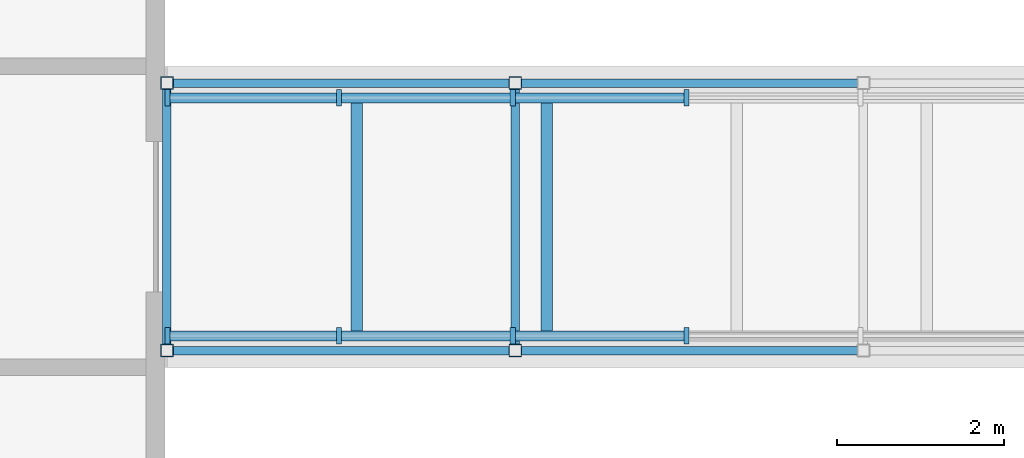
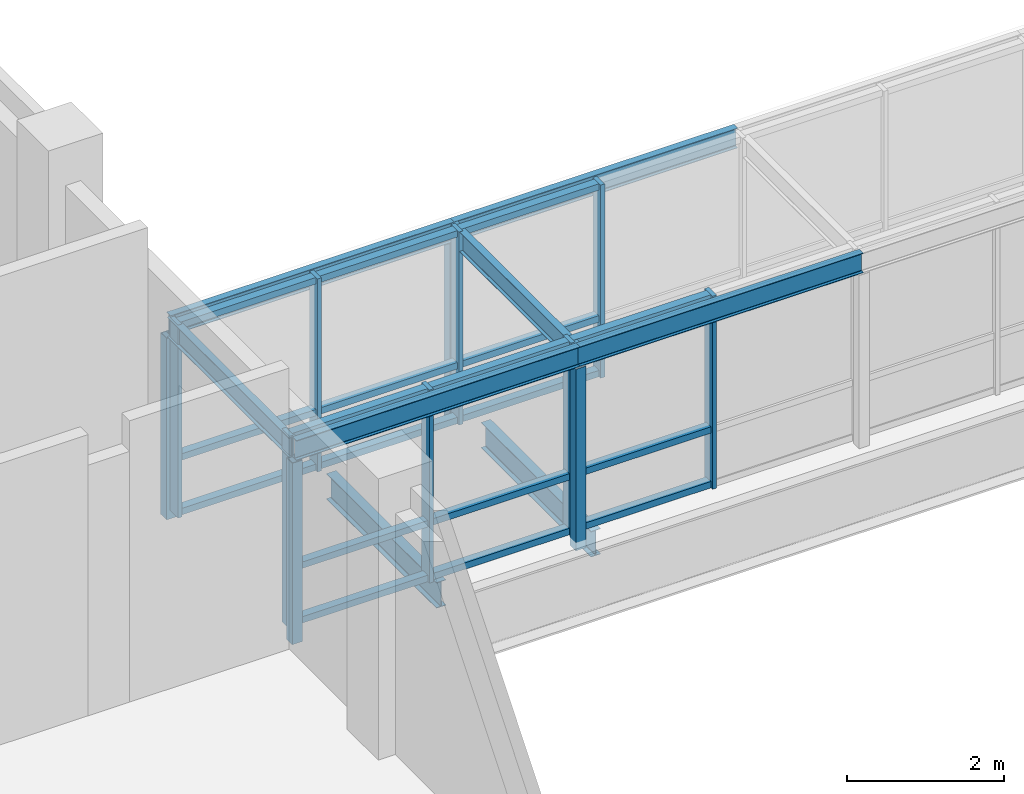
# One storey, part 10 of 70: 30 members, 8 beams, 2 elements without a shape of their own.
"""IFC4 building model written with IfcOpenShell, lengths in metres."""

from ifc_helpers import new_model, si_unit, direction, frame, origin, origin_2d, place, context, subcontext, project, spatial, rectangle, hollow_rectangle, i_section, extrude, material, material_profile, profile_set, type_object, element, aggregate, save


model = new_model("IFC4")

# Units and contexts
model_context = context("Model", 3, precision=1e-05, world=origin(), true_north=direction((0.0, 1.0)))
body_context = subcontext(model_context, "Body", "Model", "MODEL_VIEW")
ifc_project = project(units=[si_unit("LENGTHUNIT", "METRE"), si_unit("AREAUNIT", "SQUARE_METRE"), si_unit("VOLUMEUNIT", "CUBIC_METRE"), si_unit("PLANEANGLEUNIT", "RADIAN"), si_unit("MASSUNIT", "GRAM", prefix="KILO")], contexts=[model_context])

# Site, building, storey
site_placement = place(None, origin())
site = spatial("IfcSite", under=ifc_project, at=site_placement, CompositionType="ELEMENT")
building_placement = place(site_placement, origin())
building = spatial("IfcBuilding", under=site, at=building_placement, Name="Hlaing Beacon Police Headquarters", CompositionType="ELEMENT")
storey_placement = place(building_placement, frame((0.0, 0.0, 5.39990234375)))
storey = spatial("IfcBuildingStorey", under=building, at=storey_placement, Name="L01", CompositionType="ELEMENT", Elevation=5.39990234375)

# Beams
ifc_material_1 = material(Name="Steel ASTM A992 Grade 50", Category="steel")
ifc_material_profile_1 = material_profile(ifc_material_1, i_section(OverallWidth=0.1396484375, OverallDepth=0.398681640625, WebThickness=0.00634765625, FlangeThickness=0.0087890625, FilletRadius=0.01025390625, at=origin_2d()), Name="W16x26")
ifc_profile_set_1 = profile_set([ifc_material_profile_1], Name="Steel ASTM A992 Grade 50")
beam_type_1 = type_object("IfcBeamType", Name="Bridge cross beam W16x26", PredefinedType="BEAM", material=ifc_profile_set_1)
for number, where, z_axis, x_axis, name in (
    (1, (35.97265625, 44.80078125, -0.329345703125), (0.0, 1.0, 0.0), (-1.0, 0.0, 0.0), "STR-BG-BR1-CB01"),
    (2, (38.24560546875, 44.80078125, -0.329345703125), (0.0, 1.0, 0.0), (-1.0, 0.0, 0.0), "STR-BG-BR1-CB02"),
):
    element("IfcBeam", number, at=place(storey_placement, frame(where, z_axis=z_axis, x_axis=x_axis)), inside=storey, type_object=beam_type_1, Name=name, PredefinedType="BEAM", context=body_context, shape_type="SweptSolid", body=[
        extrude(i_section(OverallWidth=0.1396484375, OverallDepth=0.398681640625, WebThickness=0.00634765625, FlangeThickness=0.0087890625, FilletRadius=0.01025390625, at=origin_2d()), origin(), (0.0, 0.0, 1.0), 2.798583984375),
    ])

# Members
ifc_material_2 = material(Name="Steel ASTM A500 Grade C", Category="steel")
ifc_material_profile_2 = material_profile(ifc_material_2, hollow_rectangle(XDim=0.15234375, YDim=0.15234375, WallThickness=0.009521484375, at=origin_2d()), Name="HSS6x6x3/8")
ifc_profile_set_2 = profile_set([ifc_material_profile_2], Name="Steel ASTM A500 Grade C")
member_type_1 = type_object("IfcMemberType", Name="Bridge post HSS6x6x3/8", PredefinedType="POST", material=ifc_profile_set_2)
for number, where, z_axis, x_axis, name in (
    (3, (33.699951171875, 44.60009765625, -0.1298828125), (0.0, 0.0, 1.0), (1.0, 0.0, 0.0), "STR-BG-BR1-PSA01"),
    (4, (37.86669921875, 44.60009765625, -0.1298828125), (0.0, 0.0, 1.0), (1.0, 0.0, 0.0), "STR-BG-BR1-PSA02"),
    (5, (33.699951171875, 47.800048828125, -0.1298828125), (0.0, 0.0, 1.0), (1.0, 0.0, 0.0), "STR-BG-BR1-PSB01"),
    (6, (37.86669921875, 47.800048828125, -0.1298828125), (0.0, 0.0, 1.0), (1.0, 0.0, 0.0), "STR-BG-BR1-PSB02"),
):
    element("IfcMember", number, at=place(storey_placement, frame(where, z_axis=z_axis, x_axis=x_axis)), inside=storey, type_object=member_type_1, Name=name, PredefinedType="POST", context=body_context, shape_type="SweptSolid", body=[
        extrude(hollow_rectangle(XDim=0.15234375, YDim=0.15234375, WallThickness=0.009521484375, at=origin_2d()), origin(), (0.0, 0.0, 1.0), 2.820068359375),
    ])

# Beams
ifc_material_3 = material(Name="Steel ASTM A992 Grade 50", Category="steel")
ifc_material_profile_3 = material_profile(ifc_material_3, i_section(OverallWidth=0.101806640625, OverallDepth=0.309814453125, WebThickness=0.005859375, FlangeThickness=0.0087890625, FilletRadius=0.007568359375, at=origin_2d()), Name="W12x19")
ifc_profile_set_3 = profile_set([ifc_material_profile_3], Name="Steel ASTM A992 Grade 50")
beam_type_2 = type_object("IfcBeamType", Name="Bridge roof beam W12x19", PredefinedType="BEAM", material=ifc_profile_set_3)
beam_1_placement = place(storey_placement, frame((33.699951171875, 44.60009765625, 2.84521484375), z_axis=(1.0, 0.0, 0.0), x_axis=(0.0, 1.0, 0.0)))
element("IfcBeam", 7, at=beam_1_placement, inside=storey, type_object=beam_type_2, Name="STR-BG-BR1-RBA01", PredefinedType="BEAM", context=body_context, shape_type="SweptSolid", body=[
    extrude(i_section(OverallWidth=0.101806640625, OverallDepth=0.309814453125, WebThickness=0.005859375, FlangeThickness=0.0087890625, FilletRadius=0.007568359375, at=origin_2d()), origin(), (0.0, 0.0, 1.0), 4.166748046875),
])
beam_2_placement = place(storey_placement, frame((37.86669921875, 44.60009765625, 2.84521484375), z_axis=(1.0, 0.0, 0.0), x_axis=(0.0, 1.0, 0.0)))
element("IfcBeam", 8, at=beam_2_placement, inside=storey, type_object=beam_type_2, Name="STR-BG-BR1-RBA02", PredefinedType="BEAM", context=body_context, shape_type="SweptSolid", body=[
    extrude(i_section(OverallWidth=0.101806640625, OverallDepth=0.309814453125, WebThickness=0.005859375, FlangeThickness=0.0087890625, FilletRadius=0.007568359375, at=origin_2d()), origin(), (0.0, 0.0, 1.0), 4.16650390625),
])
beam_3_placement = place(storey_placement, frame((33.699951171875, 47.800048828125, 2.84521484375), z_axis=(1.0, 0.0, 0.0), x_axis=(0.0, 1.0, 0.0)))
element("IfcBeam", 9, at=beam_3_placement, inside=storey, type_object=beam_type_2, Name="STR-BG-BR1-RBB01", PredefinedType="BEAM", context=body_context, shape_type="SweptSolid", body=[
    extrude(i_section(OverallWidth=0.101806640625, OverallDepth=0.309814453125, WebThickness=0.005859375, FlangeThickness=0.0087890625, FilletRadius=0.007568359375, at=origin_2d()), origin(), (0.0, 0.0, 1.0), 4.166748046875),
])
beam_4_placement = place(storey_placement, frame((37.86669921875, 47.800048828125, 2.84521484375), z_axis=(1.0, 0.0, 0.0), x_axis=(0.0, 1.0, 0.0)))
element("IfcBeam", 10, at=beam_4_placement, inside=storey, type_object=beam_type_2, Name="STR-BG-BR1-RBB02", PredefinedType="BEAM", context=body_context, shape_type="SweptSolid", body=[
    extrude(i_section(OverallWidth=0.101806640625, OverallDepth=0.309814453125, WebThickness=0.005859375, FlangeThickness=0.0087890625, FilletRadius=0.007568359375, at=origin_2d()), origin(), (0.0, 0.0, 1.0), 4.16650390625),
])
for number, where, z_axis, x_axis, name in (
    (11, (33.699951171875, 44.65087890625, 2.84521484375), (0.0, 1.0, 0.0), (-1.0, 0.0, 0.0), "STR-BG-BR1-RC01"),
    (12, (37.86669921875, 44.65087890625, 2.84521484375), (0.0, 1.0, 0.0), (-1.0, 0.0, 0.0), "STR-BG-BR1-RC02"),
):
    element("IfcBeam", number, at=place(storey_placement, frame(where, z_axis=z_axis, x_axis=x_axis)), inside=storey, type_object=beam_type_2, Name=name, PredefinedType="BEAM", context=body_context, shape_type="SweptSolid", body=[
        extrude(i_section(OverallWidth=0.101806640625, OverallDepth=0.309814453125, WebThickness=0.005859375, FlangeThickness=0.0087890625, FilletRadius=0.007568359375, at=origin_2d()), origin(), (0.0, 0.0, 1.0), 3.09814453125),
    ])

# Curtain wall, members
ifc_material_4 = material(Name="Aluminium frame with solar control glazing", Category="aluminium")
curtain_wall_type = type_object("IfcCurtainWallType", Name="Unitised curtain wall 24.98 x 3.00", PredefinedType="NOTDEFINED", material=ifc_material_4)
curtain_wall_1_placement = place(storey_placement, origin())
curtain_wall_1 = element("IfcCurtainWall", 13, at=curtain_wall_1_placement, inside=storey, type_object=curtain_wall_type, Name="ENV-BG-BR1-A-32", PredefinedType="NOTDEFINED")
ifc_material_5 = material(Name="Aluminium", Category="aluminium")
ifc_material_profile_4 = material_profile(ifc_material_5, rectangle(XDim=0.199951171875, YDim=0.06005859375, at=origin_2d()), Name="Mullion 60x200")
ifc_profile_set_4 = profile_set([ifc_material_profile_4], Name="Aluminium")
member_type_2 = type_object("IfcMemberType", Name="Mullion 60x200", PredefinedType="MULLION", material=ifc_profile_set_4)
member_1_placement = place(storey_placement, frame((33.705078125, 44.776123046875, 0.0), z_axis=(0.0, 0.0, 1.0), x_axis=(0.0, 1.0, 0.0)))
member_1 = element("IfcMember", 14, at=member_1_placement, type_object=member_type_2, Name="BG-BR1-A-32 mullion 1", PredefinedType="MULLION", context=body_context, shape_type="SweptSolid", body=[
    extrude(rectangle(XDim=0.199951171875, YDim=0.06005859375, at=origin_2d()), origin(), (0.0, 0.0, 1.0), 3.0),
])
member_2_placement = place(storey_placement, frame((35.75634765625, 44.776123046875, 0.0), z_axis=(0.0, 0.0, 1.0), x_axis=(0.0, 1.0, 0.0)))
member_2 = element("IfcMember", 15, at=member_2_placement, type_object=member_type_2, Name="BG-BR1-A-32 mullion 2", PredefinedType="MULLION", context=body_context, shape_type="SweptSolid", body=[
    extrude(rectangle(XDim=0.199951171875, YDim=0.06005859375, at=origin_2d()), origin(), (0.0, 0.0, 1.0), 3.0),
])
member_3_placement = place(storey_placement, frame((37.83740234375, 44.776123046875, 0.0), z_axis=(0.0, 0.0, 1.0), x_axis=(0.0, 1.0, 0.0)))
member_3 = element("IfcMember", 16, at=member_3_placement, type_object=member_type_2, Name="BG-BR1-A-32 mullion 3", PredefinedType="MULLION", context=body_context, shape_type="SweptSolid", body=[
    extrude(rectangle(XDim=0.199951171875, YDim=0.06005859375, at=origin_2d()), origin(), (0.0, 0.0, 1.0), 3.0),
])
member_4_placement = place(storey_placement, frame((39.918701171875, 44.776123046875, 0.0), z_axis=(0.0, 0.0, 1.0), x_axis=(0.0, 1.0, 0.0)))
member_4 = element("IfcMember", 17, at=member_4_placement, type_object=member_type_2, Name="BG-BR1-A-32 mullion 4", PredefinedType="MULLION", context=body_context, shape_type="SweptSolid", body=[
    extrude(rectangle(XDim=0.199951171875, YDim=0.06005859375, at=origin_2d()), origin(), (0.0, 0.0, 1.0), 3.0),
])

curtain_wall_2_placement = place(storey_placement, origin())
curtain_wall_2 = element("IfcCurtainWall", 18, at=curtain_wall_2_placement, inside=storey, type_object=curtain_wall_type, Name="ENV-BG-BR1-B-33", PredefinedType="NOTDEFINED")
member_5_placement = place(storey_placement, frame((33.705078125, 47.623779296875, 0.0), z_axis=(0.0, 0.0, 1.0), x_axis=(0.0, 1.0, 0.0)))
member_5 = element("IfcMember", 19, at=member_5_placement, type_object=member_type_2, Name="BG-BR1-B-33 mullion 1", PredefinedType="MULLION", context=body_context, shape_type="SweptSolid", body=[
    extrude(rectangle(XDim=0.199951171875, YDim=0.06005859375, at=origin_2d()), origin(), (0.0, 0.0, 1.0), 3.0),
])
member_6_placement = place(storey_placement, frame((35.75634765625, 47.623779296875, 0.0), z_axis=(0.0, 0.0, 1.0), x_axis=(0.0, 1.0, 0.0)))
member_6 = element("IfcMember", 20, at=member_6_placement, type_object=member_type_2, Name="BG-BR1-B-33 mullion 2", PredefinedType="MULLION", context=body_context, shape_type="SweptSolid", body=[
    extrude(rectangle(XDim=0.199951171875, YDim=0.06005859375, at=origin_2d()), origin(), (0.0, 0.0, 1.0), 3.0),
])
member_7_placement = place(storey_placement, frame((37.83740234375, 47.623779296875, 0.0), z_axis=(0.0, 0.0, 1.0), x_axis=(0.0, 1.0, 0.0)))
member_7 = element("IfcMember", 21, at=member_7_placement, type_object=member_type_2, Name="BG-BR1-B-33 mullion 3", PredefinedType="MULLION", context=body_context, shape_type="SweptSolid", body=[
    extrude(rectangle(XDim=0.199951171875, YDim=0.06005859375, at=origin_2d()), origin(), (0.0, 0.0, 1.0), 3.0),
])
member_8_placement = place(storey_placement, frame((39.918701171875, 47.623779296875, 0.0), z_axis=(0.0, 0.0, 1.0), x_axis=(0.0, 1.0, 0.0)))
member_8 = element("IfcMember", 22, at=member_8_placement, type_object=member_type_2, Name="BG-BR1-B-33 mullion 4", PredefinedType="MULLION", context=body_context, shape_type="SweptSolid", body=[
    extrude(rectangle(XDim=0.199951171875, YDim=0.06005859375, at=origin_2d()), origin(), (0.0, 0.0, 1.0), 3.0),
])

# Member
ifc_material_6 = material(Name="Aluminium", Category="aluminium")
ifc_material_profile_5 = material_profile(ifc_material_6, rectangle(XDim=0.1201171875, YDim=0.10009765625, at=origin_2d()), Name="Transom 120x100")
ifc_profile_set_5 = profile_set([ifc_material_profile_5], Name="Aluminium")
member_type_3 = type_object("IfcMemberType", Name="Transom 120x100", PredefinedType="USERDEFINED", material=ifc_profile_set_5)
member_9_placement = place(storey_placement, frame((33.735107421875, 44.776123046875, 0.050048828125), z_axis=(1.0, 0.0, 0.0), x_axis=(0.0, 1.0, 0.0)))
member_9 = element("IfcMember", 23, at=member_9_placement, type_object=member_type_3, Name="BG-BR1-A-32 transom 1.1", ObjectType="TRANSOM", PredefinedType="USERDEFINED", context=body_context, shape_type="SweptSolid", body=[
    extrude(rectangle(XDim=0.1201171875, YDim=0.10009765625, at=origin_2d()), origin(), (0.0, 0.0, 1.0), 1.9912109375),
])

member_10_placement = place(storey_placement, frame((33.735107421875, 44.776123046875, 0.900146484375), z_axis=(1.0, 0.0, 0.0), x_axis=(0.0, 1.0, 0.0)))
member_10 = element("IfcMember", 24, at=member_10_placement, type_object=member_type_3, Name="BG-BR1-A-32 transom 1.2", ObjectType="TRANSOM", PredefinedType="USERDEFINED", context=body_context, shape_type="SweptSolid", body=[
    extrude(rectangle(XDim=0.1201171875, YDim=0.10009765625, at=origin_2d()), origin(), (0.0, 0.0, 1.0), 1.9912109375),
])

member_11_placement = place(storey_placement, frame((33.735107421875, 44.776123046875, 2.9501953125), z_axis=(1.0, 0.0, 0.0), x_axis=(0.0, 1.0, 0.0)))
member_11 = element("IfcMember", 25, at=member_11_placement, type_object=member_type_3, Name="BG-BR1-A-32 transom 1.3", ObjectType="TRANSOM", PredefinedType="USERDEFINED", context=body_context, shape_type="SweptSolid", body=[
    extrude(rectangle(XDim=0.1201171875, YDim=0.10009765625, at=origin_2d()), origin(), (0.0, 0.0, 1.0), 1.9912109375),
])

member_12_placement = place(storey_placement, frame((35.7861328125, 44.776123046875, 0.050048828125), z_axis=(1.0, 0.0, 0.0), x_axis=(0.0, 1.0, 0.0)))
member_12 = element("IfcMember", 26, at=member_12_placement, type_object=member_type_3, Name="BG-BR1-A-32 transom 2.1", ObjectType="TRANSOM", PredefinedType="USERDEFINED", context=body_context, shape_type="SweptSolid", body=[
    extrude(rectangle(XDim=0.1201171875, YDim=0.10009765625, at=origin_2d()), origin(), (0.0, 0.0, 1.0), 2.021484375),
])

member_13_placement = place(storey_placement, frame((35.7861328125, 44.776123046875, 0.900146484375), z_axis=(1.0, 0.0, 0.0), x_axis=(0.0, 1.0, 0.0)))
member_13 = element("IfcMember", 27, at=member_13_placement, type_object=member_type_3, Name="BG-BR1-A-32 transom 2.2", ObjectType="TRANSOM", PredefinedType="USERDEFINED", context=body_context, shape_type="SweptSolid", body=[
    extrude(rectangle(XDim=0.1201171875, YDim=0.10009765625, at=origin_2d()), origin(), (0.0, 0.0, 1.0), 2.021484375),
])

member_14_placement = place(storey_placement, frame((35.7861328125, 44.776123046875, 2.9501953125), z_axis=(1.0, 0.0, 0.0), x_axis=(0.0, 1.0, 0.0)))
member_14 = element("IfcMember", 28, at=member_14_placement, type_object=member_type_3, Name="BG-BR1-A-32 transom 2.3", ObjectType="TRANSOM", PredefinedType="USERDEFINED", context=body_context, shape_type="SweptSolid", body=[
    extrude(rectangle(XDim=0.1201171875, YDim=0.10009765625, at=origin_2d()), origin(), (0.0, 0.0, 1.0), 2.021484375),
])

member_15_placement = place(storey_placement, frame((37.867431640625, 44.776123046875, 0.050048828125), z_axis=(1.0, 0.0, 0.0), x_axis=(0.0, 1.0, 0.0)))
member_15 = element("IfcMember", 29, at=member_15_placement, type_object=member_type_3, Name="BG-BR1-A-32 transom 3.1", ObjectType="TRANSOM", PredefinedType="USERDEFINED", context=body_context, shape_type="SweptSolid", body=[
    extrude(rectangle(XDim=0.1201171875, YDim=0.10009765625, at=origin_2d()), origin(), (0.0, 0.0, 1.0), 2.021240234375),
])

member_16_placement = place(storey_placement, frame((37.867431640625, 44.776123046875, 0.900146484375), z_axis=(1.0, 0.0, 0.0), x_axis=(0.0, 1.0, 0.0)))
member_16 = element("IfcMember", 30, at=member_16_placement, type_object=member_type_3, Name="BG-BR1-A-32 transom 3.2", ObjectType="TRANSOM", PredefinedType="USERDEFINED", context=body_context, shape_type="SweptSolid", body=[
    extrude(rectangle(XDim=0.1201171875, YDim=0.10009765625, at=origin_2d()), origin(), (0.0, 0.0, 1.0), 2.021240234375),
])

member_17_placement = place(storey_placement, frame((37.867431640625, 44.776123046875, 2.9501953125), z_axis=(1.0, 0.0, 0.0), x_axis=(0.0, 1.0, 0.0)))
member_17 = element("IfcMember", 31, at=member_17_placement, type_object=member_type_3, Name="BG-BR1-A-32 transom 3.3", ObjectType="TRANSOM", PredefinedType="USERDEFINED", context=body_context, shape_type="SweptSolid", body=[
    extrude(rectangle(XDim=0.1201171875, YDim=0.10009765625, at=origin_2d()), origin(), (0.0, 0.0, 1.0), 2.021240234375),
])

aggregate(curtain_wall_1, [member_1, member_2, member_3, member_4, member_9, member_10, member_11, member_12, member_13, member_14, member_15, member_16, member_17])

member_18_placement = place(storey_placement, frame((33.735107421875, 47.623779296875, 0.050048828125), z_axis=(1.0, 0.0, 0.0), x_axis=(0.0, 1.0, 0.0)))
member_18 = element("IfcMember", 32, at=member_18_placement, type_object=member_type_3, Name="BG-BR1-B-33 transom 1.1", ObjectType="TRANSOM", PredefinedType="USERDEFINED", context=body_context, shape_type="SweptSolid", body=[
    extrude(rectangle(XDim=0.1201171875, YDim=0.10009765625, at=origin_2d()), origin(), (0.0, 0.0, 1.0), 1.9912109375),
])

member_19_placement = place(storey_placement, frame((33.735107421875, 47.623779296875, 0.900146484375), z_axis=(1.0, 0.0, 0.0), x_axis=(0.0, 1.0, 0.0)))
member_19 = element("IfcMember", 33, at=member_19_placement, type_object=member_type_3, Name="BG-BR1-B-33 transom 1.2", ObjectType="TRANSOM", PredefinedType="USERDEFINED", context=body_context, shape_type="SweptSolid", body=[
    extrude(rectangle(XDim=0.1201171875, YDim=0.10009765625, at=origin_2d()), origin(), (0.0, 0.0, 1.0), 1.9912109375),
])

member_20_placement = place(storey_placement, frame((33.735107421875, 47.623779296875, 2.9501953125), z_axis=(1.0, 0.0, 0.0), x_axis=(0.0, 1.0, 0.0)))
member_20 = element("IfcMember", 34, at=member_20_placement, type_object=member_type_3, Name="BG-BR1-B-33 transom 1.3", ObjectType="TRANSOM", PredefinedType="USERDEFINED", context=body_context, shape_type="SweptSolid", body=[
    extrude(rectangle(XDim=0.1201171875, YDim=0.10009765625, at=origin_2d()), origin(), (0.0, 0.0, 1.0), 1.9912109375),
])

member_21_placement = place(storey_placement, frame((35.7861328125, 47.623779296875, 0.050048828125), z_axis=(1.0, 0.0, 0.0), x_axis=(0.0, 1.0, 0.0)))
member_21 = element("IfcMember", 35, at=member_21_placement, type_object=member_type_3, Name="BG-BR1-B-33 transom 2.1", ObjectType="TRANSOM", PredefinedType="USERDEFINED", context=body_context, shape_type="SweptSolid", body=[
    extrude(rectangle(XDim=0.1201171875, YDim=0.10009765625, at=origin_2d()), origin(), (0.0, 0.0, 1.0), 2.021484375),
])

member_22_placement = place(storey_placement, frame((35.7861328125, 47.623779296875, 0.900146484375), z_axis=(1.0, 0.0, 0.0), x_axis=(0.0, 1.0, 0.0)))
member_22 = element("IfcMember", 36, at=member_22_placement, type_object=member_type_3, Name="BG-BR1-B-33 transom 2.2", ObjectType="TRANSOM", PredefinedType="USERDEFINED", context=body_context, shape_type="SweptSolid", body=[
    extrude(rectangle(XDim=0.1201171875, YDim=0.10009765625, at=origin_2d()), origin(), (0.0, 0.0, 1.0), 2.021484375),
])

member_23_placement = place(storey_placement, frame((35.7861328125, 47.623779296875, 2.9501953125), z_axis=(1.0, 0.0, 0.0), x_axis=(0.0, 1.0, 0.0)))
member_23 = element("IfcMember", 37, at=member_23_placement, type_object=member_type_3, Name="BG-BR1-B-33 transom 2.3", ObjectType="TRANSOM", PredefinedType="USERDEFINED", context=body_context, shape_type="SweptSolid", body=[
    extrude(rectangle(XDim=0.1201171875, YDim=0.10009765625, at=origin_2d()), origin(), (0.0, 0.0, 1.0), 2.021484375),
])

member_24_placement = place(storey_placement, frame((37.867431640625, 47.623779296875, 0.050048828125), z_axis=(1.0, 0.0, 0.0), x_axis=(0.0, 1.0, 0.0)))
member_24 = element("IfcMember", 38, at=member_24_placement, type_object=member_type_3, Name="BG-BR1-B-33 transom 3.1", ObjectType="TRANSOM", PredefinedType="USERDEFINED", context=body_context, shape_type="SweptSolid", body=[
    extrude(rectangle(XDim=0.1201171875, YDim=0.10009765625, at=origin_2d()), origin(), (0.0, 0.0, 1.0), 2.021240234375),
])

member_25_placement = place(storey_placement, frame((37.867431640625, 47.623779296875, 0.900146484375), z_axis=(1.0, 0.0, 0.0), x_axis=(0.0, 1.0, 0.0)))
member_25 = element("IfcMember", 39, at=member_25_placement, type_object=member_type_3, Name="BG-BR1-B-33 transom 3.2", ObjectType="TRANSOM", PredefinedType="USERDEFINED", context=body_context, shape_type="SweptSolid", body=[
    extrude(rectangle(XDim=0.1201171875, YDim=0.10009765625, at=origin_2d()), origin(), (0.0, 0.0, 1.0), 2.021240234375),
])

member_26_placement = place(storey_placement, frame((37.867431640625, 47.623779296875, 2.9501953125), z_axis=(1.0, 0.0, 0.0), x_axis=(0.0, 1.0, 0.0)))
member_26 = element("IfcMember", 40, at=member_26_placement, type_object=member_type_3, Name="BG-BR1-B-33 transom 3.3", ObjectType="TRANSOM", PredefinedType="USERDEFINED", context=body_context, shape_type="SweptSolid", body=[
    extrude(rectangle(XDim=0.1201171875, YDim=0.10009765625, at=origin_2d()), origin(), (0.0, 0.0, 1.0), 2.021240234375),
])

aggregate(curtain_wall_2, [member_5, member_6, member_7, member_8, member_18, member_19, member_20, member_21, member_22, member_23, member_24, member_25, member_26])

save(model, "model.ifc")
